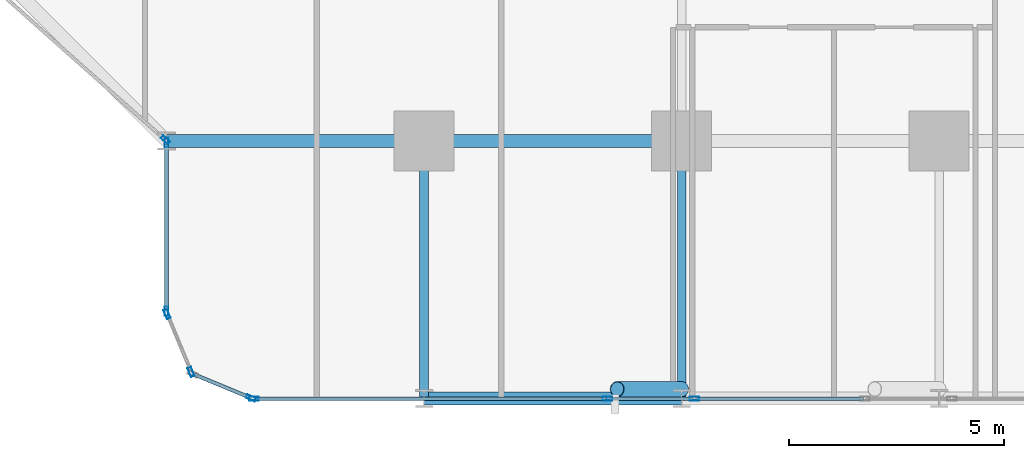
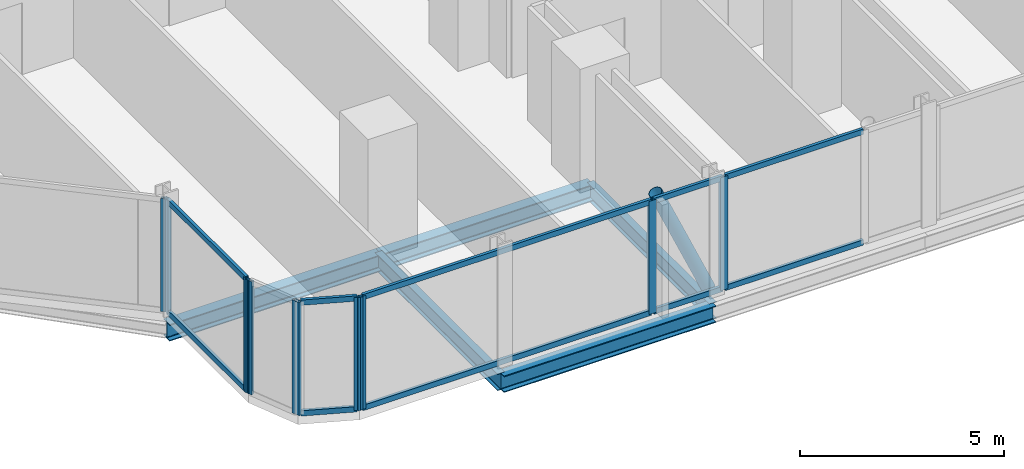
# One storey, part 3 of 34: 20 members, 5 beams, 7 elements without a shape of their own.
"""IFC4 building model written with IfcOpenShell, lengths in metres."""

import ifcopenshell
import ifcopenshell.guid

model = None  # the IFC model being written
_history = None  # IfcOwnerHistory: only IFC2X3 demands one
_inside = {}  # id of a spatial element -> (the spatial element, [elements in it])
_under = {}  # id of a project, library or spatial element -> (it, [spatial elements below it])
_declared = {}  # id of a project -> (the project, [libraries it declares])
_typed = {}  # id of a type object -> (the type object, [elements of that type])
_made_of = {}  # id of a material, layer set ... -> (it, [elements and type objects made of it])


def new_model(schema):
    """Start an empty IFC model of exactly this schema.

    Asked for "IFC4X3", IfcOpenShell would pick the latest addendum, in which some entities
    have other attributes; the version numbers below select the first issue.
    IFC2X3 requires an IfcOwnerHistory on every rooted entity: one is made here for all.
    """
    global model, _history
    if schema == "IFC4X3":
        model = ifcopenshell.file(schema_version=(4, 3, 0, 0))
    else:
        model = ifcopenshell.file(schema=schema)
    _inside.clear()
    _under.clear()
    _declared.clear()
    _typed.clear()
    _made_of.clear()
    _history = None
    if model.schema == "IFC2X3":
        org = make("IfcOrganization", Name="unknown")
        user = make(
            "IfcPersonAndOrganization",
            ThePerson=make("IfcPerson", FamilyName="unknown"),
            TheOrganization=org,
        )
        app = make(
            "IfcApplication",
            ApplicationDeveloper=org,
            Version="unknown",
            ApplicationFullName="unknown",
            ApplicationIdentifier="unknown",
        )
        _history = make(
            "IfcOwnerHistory",
            OwningUser=user,
            OwningApplication=app,
            ChangeAction="ADDED",
            CreationDate=0,
        )
    return model


def make(cls, **values):
    """One entity of the class cls with the attributes given. An attribute that is None is left unset."""
    return model.create_entity(
        cls, **{name: value for name, value in values.items() if value is not None}
    )


def rooted(cls, **values):
    """An entity with a GlobalId (a new one), such as an element, a storey or a relation."""
    return make(cls, GlobalId=ifcopenshell.guid.new(), OwnerHistory=_history, **values)


def si_unit(unit_type, name, prefix=None):
    """IfcSIUnit, for example si_unit("LENGTHUNIT", "METRE", prefix="MILLI")."""
    return make("IfcSIUnit", UnitType=unit_type, Prefix=prefix, Name=name)


def assignment(units):
    """IfcUnitAssignment: the units of a project."""
    return None if units is None else make("IfcUnitAssignment", Units=units)


def point(xyz):
    """IfcCartesianPoint."""
    return None if xyz is None else make("IfcCartesianPoint", Coordinates=xyz)


def direction(xyz):
    """IfcDirection."""
    return None if xyz is None else make("IfcDirection", DirectionRatios=xyz)


def frame(location, z_axis=None, x_axis=None):
    """IfcAxis2Placement3D, a coordinate frame: its origin and axes. An axis left out is left unset."""
    return make(
        "IfcAxis2Placement3D",
        Location=point(location),
        Axis=direction(z_axis),
        RefDirection=direction(x_axis),
    )


def frame_2d(location, x_axis=None):
    """IfcAxis2Placement2D, a coordinate frame in the plane: its origin and x axis."""
    return make(
        "IfcAxis2Placement2D", Location=point(location), RefDirection=direction(x_axis)
    )


def origin():
    """The frame at (0, 0, 0) with its axes left unset."""
    return frame((0.0, 0.0, 0.0))


def origin_2d():
    """The frame at (0, 0) in the plane with its x axis left unset."""
    return frame_2d((0.0, 0.0))


def place(relative_to, where):
    """IfcLocalPlacement: puts the frame where relative to a parent placement (None: the world)."""
    return make(
        "IfcLocalPlacement", PlacementRelTo=relative_to, RelativePlacement=where
    )


def context(
    kind, dimensions, precision=None, world=None, true_north=None, identifier=None
):
    """IfcGeometricRepresentationContext, for example the 3D "Model" context."""
    return make(
        "IfcGeometricRepresentationContext",
        ContextIdentifier=identifier,
        ContextType=kind,
        CoordinateSpaceDimension=dimensions,
        Precision=precision,
        WorldCoordinateSystem=world,
        TrueNorth=true_north,
    )


def subcontext(parent, identifier, kind, view, scale=None):
    """IfcGeometricRepresentationSubContext, for example "Body" below "Model"."""
    return make(
        "IfcGeometricRepresentationSubContext",
        ContextIdentifier=identifier,
        ContextType=kind,
        ParentContext=parent,
        TargetScale=scale,
        TargetView=view,
    )


def project(units=None, contexts=None):
    """IfcProject with its units and contexts."""
    return rooted(
        "IfcProject",
        Name="project",
        RepresentationContexts=contexts,
        UnitsInContext=assignment(units),
    )


def spatial(cls, under=None, at=None, **own):
    """A site, building, storey or space (cls), placed at a placement, below another one or the project."""
    s = rooted(cls, ObjectPlacement=at, **own)
    if under is not None:
        _under.setdefault(under.id(), (under, []))[1].append(s)
    return s


def profile(cls, at=None, kind="AREA", **sizes):
    """A parametric profile (cls). Its sizes go by their IFC names, for example OverallWidth=200.0."""
    return make(cls, ProfileType=kind, Position=at, **sizes)


def hollow_rectangle(**sizes):
    """IfcRectangleHollowProfileDef."""
    return profile("IfcRectangleHollowProfileDef", **sizes)


def hollow_circle(**sizes):
    """IfcCircleHollowProfileDef."""
    return profile("IfcCircleHollowProfileDef", **sizes)


def i_section(**sizes):
    """IfcIShapeProfileDef."""
    return profile("IfcIShapeProfileDef", **sizes)


def extrude(swept, where, along, depth):
    """IfcExtrudedAreaSolid: the profile swept, set in the frame where, extruded along a direction by depth."""
    return make(
        "IfcExtrudedAreaSolid",
        SweptArea=swept,
        Position=where,
        ExtrudedDirection=direction(along),
        Depth=depth,
    )


def shape(context_of_items, identifier, shape_type, items):
    """IfcShapeRepresentation: the items that make up one representation, for example the "Body"."""
    return make(
        "IfcShapeRepresentation",
        ContextOfItems=context_of_items,
        RepresentationIdentifier=identifier,
        RepresentationType=shape_type,
        Items=items,
    )


def material(Name=None, Category=None):
    """IfcMaterial."""
    return make("IfcMaterial", Name=Name, Category=Category)


def layer(
    of_material, thickness, ventilated=None, Name=None, Category=None, Priority=None
):
    """IfcMaterialLayer: one layer of a wall or slab, of a material (None: an air gap)."""
    return make(
        "IfcMaterialLayer",
        Material=of_material,
        LayerThickness=thickness,
        IsVentilated=ventilated,
        Name=Name,
        Category=Category,
        Priority=Priority,
    )


def layer_set(layers, Name=None):
    """IfcMaterialLayerSet."""
    return make("IfcMaterialLayerSet", MaterialLayers=layers, LayerSetName=Name)


def material_profile(
    of_material, cross_section, Name=None, Category=None, Priority=None
):
    """IfcMaterialProfile: a cross section and its material."""
    return make(
        "IfcMaterialProfile",
        Name=Name,
        Material=of_material,
        Profile=cross_section,
        Priority=Priority,
        Category=Category,
    )


def profile_set(profiles, Name=None, composite=None):
    """IfcMaterialProfileSet."""
    return make(
        "IfcMaterialProfileSet",
        Name=Name,
        MaterialProfiles=profiles,
        CompositeProfile=composite,
    )


def made_of(thing, what):
    """Note that an element or type object is made of a material, layer set ...; save() writes the relation."""
    if what is not None:
        _made_of.setdefault(what.id(), (what, []))[1].append(thing)
    return thing


def type_object(cls, material=None, **own):
    """A type object (cls), such as IfcWallType, which elements share."""
    return made_of(rooted(cls, **own), material)


def element(
    cls,
    number,
    at=None,
    inside=None,
    cuts=None,
    type_object=None,
    material=None,
    context=None,
    identifier="Body",
    shape_type=None,
    held_by="IfcProductDefinitionShape",
    body=None,
    shapes=None,
    **own,
):
    """One element of the class cls, such as IfcWall. Its Tag is "e" and its number.

    at: its placement. inside: the storey or other place that contains it. cuts: it is an
    opening in that element (IfcRelVoidsElement). A single representation is given by context,
    identifier, shape_type and body (its items); several are given by shapes. held_by: the class
    of the entity that holds the representations. save() writes the other relations.
    """
    e = rooted(cls, Tag="e%d" % number, ObjectPlacement=at, **own)
    if body is not None:
        shapes = [shape(context, identifier, shape_type, body)]
    if shapes is not None:
        e.Representation = make(held_by, Representations=shapes)
    if inside is not None:
        _inside.setdefault(inside.id(), (inside, []))[1].append(e)
    if cuts is not None:
        rooted(
            "IfcRelVoidsElement", RelatingBuildingElement=cuts, RelatedOpeningElement=e
        )
    if type_object is not None:
        _typed.setdefault(type_object.id(), (type_object, []))[1].append(e)
    return made_of(e, material)


def aggregate(whole, parts):
    """IfcRelAggregates: a whole, such as a stair, and the parts it consists of."""
    return rooted("IfcRelAggregates", RelatingObject=whole, RelatedObjects=parts)


def save(model, path):
    """Write the relations noted so far, then the file.

    IfcRelAggregates (storeys below a building ...), IfcRelContainedInSpatialStructure (elements
    in a storey), IfcRelDefinesByType, IfcRelAssociatesMaterial and IfcRelDeclares: one each for
    every whole, place, type object, material and project.
    """
    for whole, parts in _under.values():
        aggregate(whole, parts)
    for where, things in _inside.values():
        rooted(
            "IfcRelContainedInSpatialStructure",
            RelatedElements=things,
            RelatingStructure=where,
        )
    for kind, things in _typed.values():
        rooted("IfcRelDefinesByType", RelatedObjects=things, RelatingType=kind)
    for what, things in _made_of.values():
        rooted("IfcRelAssociatesMaterial", RelatedObjects=things, RelatingMaterial=what)
    for by, libraries in _declared.values():
        rooted("IfcRelDeclares", RelatingContext=by, RelatedDefinitions=libraries)
    model.write(path)


model = new_model("IFC4")

# Units and contexts
model_context = context("Model", 3, precision=1e-05, world=origin(), true_north=direction((0.0, 1.0)))
body_context = subcontext(model_context, "Body", "Model", "MODEL_VIEW")
ifc_project = project(units=[si_unit("LENGTHUNIT", "METRE"), si_unit("AREAUNIT", "SQUARE_METRE"), si_unit("VOLUMEUNIT", "CUBIC_METRE"), si_unit("PLANEANGLEUNIT", "RADIAN"), si_unit("MASSUNIT", "GRAM", prefix="KILO")], contexts=[model_context])

# Site, building, storey
site_placement = place(None, origin())
site = spatial("IfcSite", under=ifc_project, at=site_placement, CompositionType="ELEMENT")
building_placement = place(site_placement, origin())
building = spatial("IfcBuilding", under=site, at=building_placement, Name="Keshet Zoharim Tower", CompositionType="ELEMENT")
storey_placement = place(building_placement, frame((0.0, 0.0, 46.199951171875)))
storey = spatial("IfcBuildingStorey", under=building, at=storey_placement, Name="L10", CompositionType="ELEMENT", Elevation=46.199951171875)

# Beams
ifc_material_1 = material(Name="Steel S355", Category="steel")
ifc_material_profile_1 = material_profile(ifc_material_1, i_section(OverallWidth=0.199951171875, OverallDepth=0.5, WebThickness=0.01025390625, FlangeThickness=0.01611328125, FilletRadius=0.02099609375, at=origin_2d()), Name="IPE500")
ifc_profile_set_1 = profile_set([ifc_material_profile_1], Name="Steel S355")
beam_type_1 = type_object("IfcBeamType", Name="BM-PRI-IP500", PredefinedType="BEAM", material=ifc_profile_set_1)
for number, where, z_axis, x_axis, name in (
    (1, (27.0, 0.699951171875, -0.56494140625), (0.0, 1.0, 0.0), (-1.0, 0.0, 0.0), "L10 Primary Girder Y-004"),
    (2, (33.0, 0.699951171875, -0.56494140625), (0.0, 1.0, 0.0), (-1.0, 0.0, 0.0), "L10 Primary Girder Y-005"),
):
    element("IfcBeam", number, at=place(storey_placement, frame(where, z_axis=z_axis, x_axis=x_axis)), inside=storey, type_object=beam_type_1, Name=name, PredefinedType="BEAM", context=body_context, shape_type="SweptSolid", body=[
        extrude(i_section(OverallWidth=0.199951171875, OverallDepth=0.5, WebThickness=0.01025390625, FlangeThickness=0.01611328125, FilletRadius=0.02099609375, at=origin_2d()), origin(), (0.0, 0.0, 1.0), 6.0),
    ])
ifc_material_profile_2 = material_profile(ifc_material_1, i_section(OverallWidth=0.300048828125, OverallDepth=0.5, WebThickness=0.014404296875, FlangeThickness=0.028076171875, FilletRadius=0.027099609375, at=origin_2d()), Name="HEB500")
ifc_profile_set_2 = profile_set([ifc_material_profile_2], Name="Steel S355")
beam_type_2 = type_object("IfcBeamType", Name="BM-WEB-HB500", PredefinedType="BEAM", material=ifc_profile_set_2)
for number, where, z_axis, x_axis, name in (
    (3, (27.0, 0.699951171875, -0.56494140625), (1.0, 0.0, 0.0), (0.0, 1.0, 0.0), "L10 Primary Girder X-001"),
    (4, (21.0, 6.699951171875, -0.56494140625), (1.0, 0.0, 0.0), (0.0, 1.0, 0.0), "L10 Primary Girder X-006"),
    (5, (27.0, 6.699951171875, -0.56494140625), (1.0, 0.0, 0.0), (0.0, 1.0, 0.0), "L10 Primary Girder X-007"),
):
    element("IfcBeam", number, at=place(storey_placement, frame(where, z_axis=z_axis, x_axis=x_axis)), inside=storey, type_object=beam_type_2, Name=name, PredefinedType="BEAM", context=body_context, shape_type="SweptSolid", body=[
        extrude(i_section(OverallWidth=0.300048828125, OverallDepth=0.5, WebThickness=0.014404296875, FlangeThickness=0.028076171875, FilletRadius=0.027099609375, at=origin_2d()), origin(), (0.0, 0.0, 1.0), 6.0),
    ])

# Curtain wall, member
ifc_material_2 = material(Name="Aluminium 6063-T6", Category="aluminium")
ifc_layer = layer(ifc_material_2, 0.179931640625)
ifc_layer_set = layer_set([ifc_layer], Name="Aluminium 6063-T6")
curtain_wall_type = type_object("IfcCurtainWallType", Name="CW-SYS-01", PredefinedType="NOTDEFINED", material=ifc_layer_set)
curtain_wall_1_placement = place(storey_placement, origin())
curtain_wall_1 = element("IfcCurtainWall", 6, at=curtain_wall_1_placement, inside=storey, type_object=curtain_wall_type, Name="L10 Unitised Curtain Wall 01", PredefinedType="NOTDEFINED")
ifc_material_profile_3 = material_profile(ifc_material_2, hollow_rectangle(XDim=0.090087890625, YDim=0.219970703125, WallThickness=0.0048828125, at=origin_2d()), Name="MUL-90x220")
ifc_profile_set_3 = profile_set([ifc_material_profile_3], Name="Aluminium 6063-T6")
member_type_1 = type_object("IfcMemberType", Name="CWM-M22", PredefinedType="MULLION", material=ifc_profile_set_3)
member_1_placement = place(storey_placement, frame((20.973876953125, 6.72314453125, 0.0), z_axis=(0.0, 0.0, 1.0), x_axis=(-0.664363838836, -0.747409318679, 0.0)))
member_1 = element("IfcMember", 7, at=member_1_placement, type_object=member_type_1, Name="CW-01 mullion 1", PredefinedType="MULLION", context=body_context, shape_type="SweptSolid", body=[
    extrude(hollow_rectangle(XDim=0.090087890625, YDim=0.219970703125, WallThickness=0.0048828125, at=origin_2d()), origin(), (0.0, 0.0, 1.0), 3.385009765625),
])
aggregate(curtain_wall_1, [member_1])

curtain_wall_2_placement = place(storey_placement, origin())
curtain_wall_2 = element("IfcCurtainWall", 8, at=curtain_wall_2_placement, inside=storey, type_object=curtain_wall_type, Name="L10 Unitised Curtain Wall 26 Part 3", PredefinedType="NOTDEFINED")
member_2_placement = place(storey_placement, frame((33.297607421875, 0.699951171875, 0.0), z_axis=(0.0, 0.0, 1.0), x_axis=(0.0, -1.0, 0.0)))
member_2 = element("IfcMember", 9, at=member_2_placement, type_object=member_type_1, Name="CW-01 mullion 2", PredefinedType="MULLION", context=body_context, shape_type="SweptSolid", body=[
    extrude(hollow_rectangle(XDim=0.090087890625, YDim=0.219970703125, WallThickness=0.0048828125, at=origin_2d()), origin(), (0.0, 0.0, 1.0), 3.385009765625),
])

curtain_wall_3_placement = place(storey_placement, origin())
curtain_wall_3 = element("IfcCurtainWall", 10, at=curtain_wall_3_placement, inside=storey, type_object=curtain_wall_type, Name="L10 Unitised Curtain Wall 26 Part 4", PredefinedType="NOTDEFINED")
member_3_placement = place(storey_placement, frame((31.2724609375, 0.699951171875, 0.0), z_axis=(0.0, 0.0, 1.0), x_axis=(0.0, -1.0, 0.0)))
member_3 = element("IfcMember", 11, at=member_3_placement, type_object=member_type_1, Name="CW-01 mullion 2", PredefinedType="MULLION", context=body_context, shape_type="SweptSolid", body=[
    extrude(hollow_rectangle(XDim=0.090087890625, YDim=0.219970703125, WallThickness=0.0048828125, at=origin_2d()), origin(), (0.0, 0.0, 1.0), 3.385009765625),
])

curtain_wall_4_placement = place(storey_placement, origin())
curtain_wall_4 = element("IfcCurtainWall", 12, at=curtain_wall_4_placement, inside=storey, type_object=curtain_wall_type, Name="L10 Unitised Curtain Wall 26 Part 5", PredefinedType="NOTDEFINED")
member_4_placement = place(storey_placement, frame((23.034912109375, 0.699951171875, 0.0), z_axis=(0.0, 0.0, 1.0), x_axis=(0.0, -1.0, 0.0)))
member_4 = element("IfcMember", 13, at=member_4_placement, type_object=member_type_1, Name="CW-01 mullion 2", PredefinedType="MULLION", context=body_context, shape_type="SweptSolid", body=[
    extrude(hollow_rectangle(XDim=0.090087890625, YDim=0.219970703125, WallThickness=0.0048828125, at=origin_2d()), origin(), (0.0, 0.0, 1.0), 3.385009765625),
])

curtain_wall_5_placement = place(storey_placement, origin())
curtain_wall_5 = element("IfcCurtainWall", 14, at=curtain_wall_5_placement, inside=storey, type_object=curtain_wall_type, Name="L10 Unitised Curtain Wall 27", PredefinedType="NOTDEFINED")
member_5_placement = place(storey_placement, frame((22.9677734375, 0.71337890625, 0.0), z_axis=(0.0, 0.0, 1.0), x_axis=(-0.382851849847, -0.92380975372, 0.0)))
member_5 = element("IfcMember", 15, at=member_5_placement, type_object=member_type_1, Name="CW-01 mullion 1", PredefinedType="MULLION", context=body_context, shape_type="SweptSolid", body=[
    extrude(hollow_rectangle(XDim=0.090087890625, YDim=0.219970703125, WallThickness=0.0048828125, at=origin_2d()), origin(), (0.0, 0.0, 1.0), 3.385009765625),
])

# Curtain wall, members
curtain_wall_6_placement = place(storey_placement, origin())
curtain_wall_6 = element("IfcCurtainWall", 16, at=curtain_wall_6_placement, inside=storey, type_object=curtain_wall_type, Name="L10 Unitised Curtain Wall 28", PredefinedType="NOTDEFINED")
member_6_placement = place(storey_placement, frame((21.572509765625, 1.318359375, 0.0), z_axis=(0.0, 0.0, 1.0), x_axis=(-0.92380975372, -0.382851849847, 0.0)))
member_6 = element("IfcMember", 17, at=member_6_placement, type_object=member_type_1, Name="CW-01 mullion 1", PredefinedType="MULLION", context=body_context, shape_type="SweptSolid", body=[
    extrude(hollow_rectangle(XDim=0.090087890625, YDim=0.219970703125, WallThickness=0.0048828125, at=origin_2d()), origin(), (0.0, 0.0, 1.0), 3.385009765625),
])
member_7_placement = place(storey_placement, frame((21.013427734375, 2.667724609375, 0.0), z_axis=(0.0, 0.0, 1.0), x_axis=(-0.92380975372, -0.382851849847, 0.0)))
member_7 = element("IfcMember", 18, at=member_7_placement, type_object=member_type_1, Name="CW-01 mullion 2", PredefinedType="MULLION", context=body_context, shape_type="SweptSolid", body=[
    extrude(hollow_rectangle(XDim=0.090087890625, YDim=0.219970703125, WallThickness=0.0048828125, at=origin_2d()), origin(), (0.0, 0.0, 1.0), 3.385009765625),
])
aggregate(curtain_wall_6, [member_6, member_7])

curtain_wall_7_placement = place(storey_placement, origin())
curtain_wall_7 = element("IfcCurtainWall", 19, at=curtain_wall_7_placement, inside=storey, type_object=curtain_wall_type, Name="L10 Unitised Curtain Wall 29", PredefinedType="NOTDEFINED")
member_8_placement = place(storey_placement, frame((21.0, 2.735107421875, 0.0), z_axis=(0.0, 0.0, 1.0), x_axis=(-1.0, 0.0, 0.0)))
member_8 = element("IfcMember", 20, at=member_8_placement, type_object=member_type_1, Name="CW-01 mullion 1", PredefinedType="MULLION", context=body_context, shape_type="SweptSolid", body=[
    extrude(hollow_rectangle(XDim=0.090087890625, YDim=0.219970703125, WallThickness=0.0048828125, at=origin_2d()), origin(), (0.0, 0.0, 1.0), 3.385009765625),
])
member_9_placement = place(storey_placement, frame((21.0, 6.6650390625, 0.0), z_axis=(0.0, 0.0, 1.0), x_axis=(-1.0, 0.0, 0.0)))
member_9 = element("IfcMember", 21, at=member_9_placement, type_object=member_type_1, Name="CW-01 mullion 2", PredefinedType="MULLION", context=body_context, shape_type="SweptSolid", body=[
    extrude(hollow_rectangle(XDim=0.090087890625, YDim=0.219970703125, WallThickness=0.0048828125, at=origin_2d()), origin(), (0.0, 0.0, 1.0), 3.385009765625),
])

# Member
ifc_material_profile_4 = material_profile(ifc_material_2, hollow_rectangle(XDim=0.0849609375, YDim=0.159912109375, WallThickness=0.00439453125, at=origin_2d()), Name="TRN-85x160")
ifc_profile_set_4 = profile_set([ifc_material_profile_4], Name="Aluminium 6063-T6")
member_type_2 = type_object("IfcMemberType", Name="CWT-T16", PredefinedType="USERDEFINED", material=ifc_profile_set_4)
member_10_placement = place(storey_placement, frame((37.2373046875, 0.699951171875, 0.03515625), z_axis=(-1.0, 0.0, 0.0), x_axis=(0.0, -1.0, 0.0)))
member_10 = element("IfcMember", 22, at=member_10_placement, type_object=member_type_2, Name="CW-01 transom 1.1", ObjectType="TRANSOM", PredefinedType="USERDEFINED", context=body_context, shape_type="SweptSolid", body=[
    extrude(hollow_rectangle(XDim=0.0849609375, YDim=0.159912109375, WallThickness=0.00439453125, at=origin_2d()), origin(), (0.0, 0.0, 1.0), 3.90478515625),
])

member_11_placement = place(storey_placement, frame((37.2373046875, 0.699951171875, 3.35009765625), z_axis=(-1.0, 0.0, 0.0), x_axis=(0.0, -1.0, 0.0)))
member_11 = element("IfcMember", 23, at=member_11_placement, type_object=member_type_2, Name="CW-01 transom 1.2", ObjectType="TRANSOM", PredefinedType="USERDEFINED", context=body_context, shape_type="SweptSolid", body=[
    extrude(hollow_rectangle(XDim=0.0849609375, YDim=0.159912109375, WallThickness=0.00439453125, at=origin_2d()), origin(), (0.0, 0.0, 1.0), 3.90478515625),
])

aggregate(curtain_wall_2, [member_2, member_10, member_11])

member_12_placement = place(storey_placement, frame((33.2626953125, 0.699951171875, 0.03515625), z_axis=(-1.0, 0.0, 0.0), x_axis=(0.0, -1.0, 0.0)))
member_12 = element("IfcMember", 24, at=member_12_placement, type_object=member_type_2, Name="CW-01 transom 1.1", ObjectType="TRANSOM", PredefinedType="USERDEFINED", context=body_context, shape_type="SweptSolid", body=[
    extrude(hollow_rectangle(XDim=0.0849609375, YDim=0.159912109375, WallThickness=0.00439453125, at=origin_2d()), origin(), (0.0, 0.0, 1.0), 1.955322265625),
])

member_13_placement = place(storey_placement, frame((33.2626953125, 0.699951171875, 3.35009765625), z_axis=(-1.0, 0.0, 0.0), x_axis=(0.0, -1.0, 0.0)))
member_13 = element("IfcMember", 25, at=member_13_placement, type_object=member_type_2, Name="CW-01 transom 1.2", ObjectType="TRANSOM", PredefinedType="USERDEFINED", context=body_context, shape_type="SweptSolid", body=[
    extrude(hollow_rectangle(XDim=0.0849609375, YDim=0.159912109375, WallThickness=0.00439453125, at=origin_2d()), origin(), (0.0, 0.0, 1.0), 1.955322265625),
])

aggregate(curtain_wall_3, [member_3, member_12, member_13])

member_14_placement = place(storey_placement, frame((31.2373046875, 0.699951171875, 0.03515625), z_axis=(-1.0, 0.0, 0.0), x_axis=(0.0, -1.0, 0.0)))
member_14 = element("IfcMember", 26, at=member_14_placement, type_object=member_type_2, Name="CW-01 transom 1.1", ObjectType="TRANSOM", PredefinedType="USERDEFINED", context=body_context, shape_type="SweptSolid", body=[
    extrude(hollow_rectangle(XDim=0.0849609375, YDim=0.159912109375, WallThickness=0.00439453125, at=origin_2d()), origin(), (0.0, 0.0, 1.0), 8.167236328125),
])

member_15_placement = place(storey_placement, frame((31.2373046875, 0.699951171875, 3.35009765625), z_axis=(-1.0, 0.0, 0.0), x_axis=(0.0, -1.0, 0.0)))
member_15 = element("IfcMember", 27, at=member_15_placement, type_object=member_type_2, Name="CW-01 transom 1.2", ObjectType="TRANSOM", PredefinedType="USERDEFINED", context=body_context, shape_type="SweptSolid", body=[
    extrude(hollow_rectangle(XDim=0.0849609375, YDim=0.159912109375, WallThickness=0.00439453125, at=origin_2d()), origin(), (0.0, 0.0, 1.0), 8.167236328125),
])

aggregate(curtain_wall_4, [member_4, member_14, member_15])

member_16_placement = place(storey_placement, frame((22.935302734375, 0.726806640625, 0.03515625), z_axis=(-0.92379209995, 0.382894445076, 0.0), x_axis=(-0.382894445076, -0.92379209995, 0.0)))
member_16 = element("IfcMember", 28, at=member_16_placement, type_object=member_type_2, Name="CW-01 transom 1.1", ObjectType="TRANSOM", PredefinedType="USERDEFINED", context=body_context, shape_type="SweptSolid", body=[
    extrude(hollow_rectangle(XDim=0.0849609375, YDim=0.159912109375, WallThickness=0.00439453125, at=origin_2d()), origin(), (0.0, 0.0, 1.0), 1.390625),
])

member_17_placement = place(storey_placement, frame((22.935302734375, 0.726806640625, 3.35009765625), z_axis=(-0.92379209995, 0.382894445076, 0.0), x_axis=(-0.382894445076, -0.92379209995, 0.0)))
member_17 = element("IfcMember", 29, at=member_17_placement, type_object=member_type_2, Name="CW-01 transom 1.2", ObjectType="TRANSOM", PredefinedType="USERDEFINED", context=body_context, shape_type="SweptSolid", body=[
    extrude(hollow_rectangle(XDim=0.0849609375, YDim=0.159912109375, WallThickness=0.00439453125, at=origin_2d()), origin(), (0.0, 0.0, 1.0), 1.390625),
])

aggregate(curtain_wall_5, [member_5, member_16, member_17])

member_18_placement = place(storey_placement, frame((21.0, 2.77001953125, 0.03515625), z_axis=(0.0, 1.0, 0.0), x_axis=(-1.0, 0.0, 0.0)))
member_18 = element("IfcMember", 30, at=member_18_placement, type_object=member_type_2, Name="CW-01 transom 1.1", ObjectType="TRANSOM", PredefinedType="USERDEFINED", context=body_context, shape_type="SweptSolid", body=[
    extrude(hollow_rectangle(XDim=0.0849609375, YDim=0.159912109375, WallThickness=0.00439453125, at=origin_2d()), origin(), (0.0, 0.0, 1.0), 3.85986328125),
])

member_19_placement = place(storey_placement, frame((21.0, 2.77001953125, 3.35009765625), z_axis=(0.0, 1.0, 0.0), x_axis=(-1.0, 0.0, 0.0)))
member_19 = element("IfcMember", 31, at=member_19_placement, type_object=member_type_2, Name="CW-01 transom 1.2", ObjectType="TRANSOM", PredefinedType="USERDEFINED", context=body_context, shape_type="SweptSolid", body=[
    extrude(hollow_rectangle(XDim=0.0849609375, YDim=0.159912109375, WallThickness=0.00439453125, at=origin_2d()), origin(), (0.0, 0.0, 1.0), 3.85986328125),
])

aggregate(curtain_wall_7, [member_8, member_9, member_18, member_19])

ifc_material_profile_5 = material_profile(ifc_material_1, hollow_circle(Radius=0.177734375, WallThickness=0.012451171875, at=origin_2d()), Name="CHS355x12.5")
ifc_profile_set_5 = profile_set([ifc_material_profile_5], Name="Steel S355")
member_type_3 = type_object("IfcMemberType", Name="MB-BR-C355", PredefinedType="BRACE", material=ifc_profile_set_5)
member_20_placement = place(storey_placement, frame((33.0, 0.919921875, 0.0), z_axis=(-0.405134846829, 0.0, 0.91425694194), x_axis=(0.0, -1.0, 0.0)))
element("IfcMember", 32, at=member_20_placement, inside=storey, type_object=member_type_3, Name="L10 Perimeter Tube Brace 02", PredefinedType="BRACE", context=body_context, shape_type="SweptSolid", body=[
    extrude(hollow_circle(Radius=0.177734375, WallThickness=0.012451171875, at=origin_2d()), origin(), (0.0, 0.0, 1.0), 3.702392578125),
])

save(model, "model.ifc")
